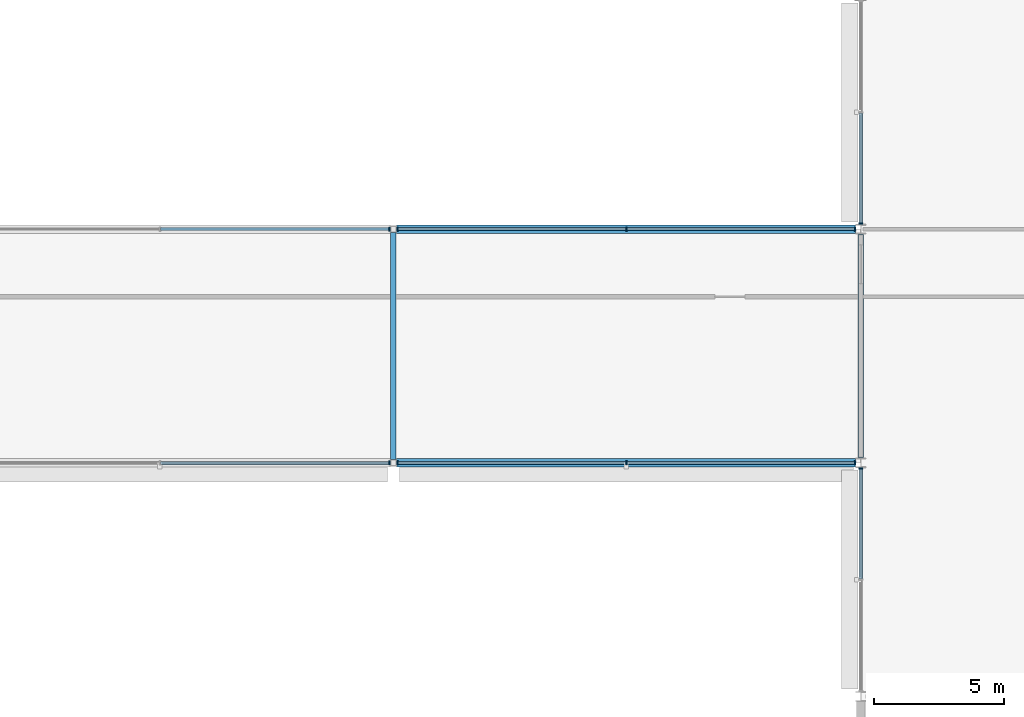
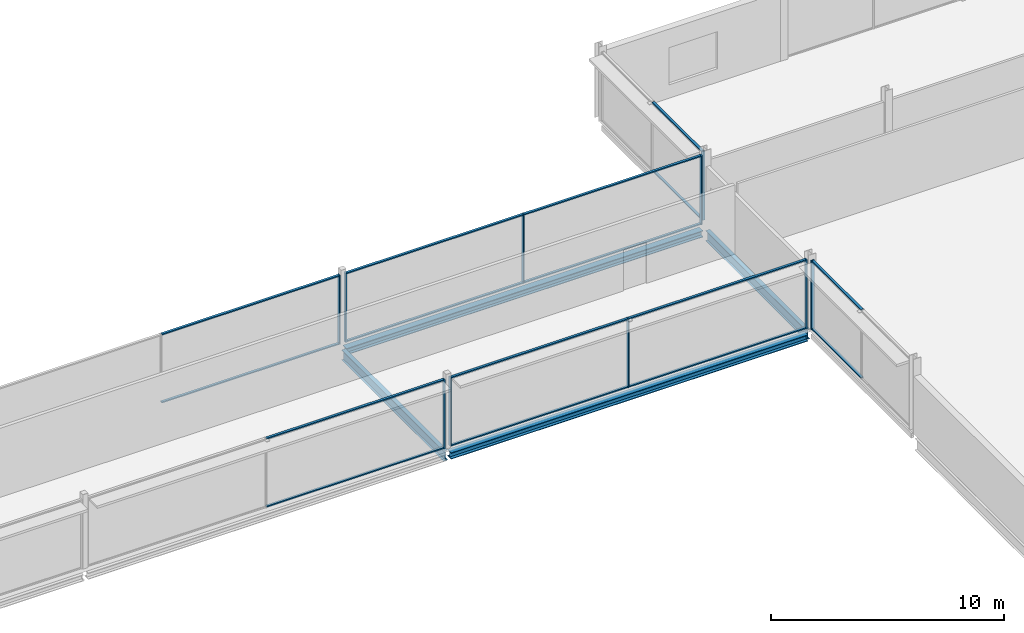
# One storey, part 48 of 98: 26 members, 4 beams, 6 elements without a shape of their own.
"""IFC4 building model written with IfcOpenShell, lengths in metres."""

from ifc_helpers import new_model, si_unit, direction, frame, origin, origin_2d, place, context, subcontext, project, spatial, rectangle, i_section, extrude, material, layer, layer_set, material_profile, profile_set, type_object, element, aggregate, save


model = new_model("IFC4")

# Units and contexts
model_context = context("Model", 3, precision=1e-05, world=origin(), true_north=direction((0.0, 1.0)))
body_context = subcontext(model_context, "Body", "Model", "MODEL_VIEW")
ifc_project = project(units=[si_unit("LENGTHUNIT", "METRE"), si_unit("AREAUNIT", "SQUARE_METRE"), si_unit("VOLUMEUNIT", "CUBIC_METRE"), si_unit("PLANEANGLEUNIT", "RADIAN"), si_unit("MASSUNIT", "GRAM", prefix="KILO")], contexts=[model_context])

# Site, building, storey
site_placement = place(None, origin())
site = spatial("IfcSite", under=ifc_project, at=site_placement, CompositionType="ELEMENT")
building_placement = place(site_placement, origin())
building = spatial("IfcBuilding", under=site, at=building_placement, Name="Kisiwana Market Hall", CompositionType="ELEMENT")
storey_placement = place(building_placement, frame((0.0, 0.0, 29.39990234375)))
storey = spatial("IfcBuildingStorey", under=building, at=storey_placement, Name="L06", CompositionType="ELEMENT", Elevation=29.39990234375)

# Beams
ifc_material_1 = material(Name="Steel S355", Category="steel")
ifc_material_profile_1 = material_profile(ifc_material_1, i_section(OverallWidth=0.209228515625, OverallDepth=0.533203125, WebThickness=0.010009765625, FlangeThickness=0.015625, at=origin_2d()), Name="UB 533x210x92")
ifc_profile_set_1 = profile_set([ifc_material_profile_1], Name="Steel S355")
beam_type_1 = type_object("IfcBeamType", Name="BM-GIRD-UB533", PredefinedType="BEAM", material=ifc_profile_set_1)
beam_1_placement = place(storey_placement, frame((135.0, 93.12109375, -0.531494140625), z_axis=(0.0, 1.0, 0.0), x_axis=(-1.0, 0.0, 0.0)))
element("IfcBeam", 1, at=beam_1_placement, inside=storey, type_object=beam_type_1, Name="Primary girder B-1728", PredefinedType="BEAM", context=body_context, shape_type="SweptSolid", body=[
    extrude(i_section(OverallWidth=0.209228515625, OverallDepth=0.533203125, WebThickness=0.010009765625, FlangeThickness=0.015625, at=origin_2d()), origin(), (0.0, 0.0, 1.0), 8.7578125),
])
beam_2_placement = place(storey_placement, frame((153.0, 93.19921875, -0.531494140625), z_axis=(0.0, 1.0, 0.0), x_axis=(-1.0, 0.0, 0.0)))
element("IfcBeam", 2, at=beam_2_placement, inside=storey, type_object=beam_type_1, Name="Primary girder B-1730", PredefinedType="BEAM", context=body_context, shape_type="SweptSolid", body=[
    extrude(i_section(OverallWidth=0.209228515625, OverallDepth=0.533203125, WebThickness=0.010009765625, FlangeThickness=0.015625, at=origin_2d()), origin(), (0.0, 0.0, 1.0), 8.6015625),
])
ifc_material_2 = material(Name="Steel S355", Category="steel")
ifc_material_profile_2 = material_profile(ifc_material_2, i_section(OverallWidth=0.314453125, OverallDepth=0.33984375, WebThickness=0.01904296875, FlangeThickness=0.031494140625, at=origin_2d()), Name="UC 305x305x198")
ifc_profile_set_2 = profile_set([ifc_material_profile_2], Name="Steel S355")
beam_type_2 = type_object("IfcBeamType", Name="BM-SKYBR-CHORD", PredefinedType="BEAM", material=ifc_profile_set_2)
for number, where, z_axis, x_axis, name in (
    (3, (135.12109375, 93.0, -0.434814453125), (1.0, 0.0, 0.0), (0.0, 1.0, 0.0), "Floor beam B-1826"),
    (4, (135.12109375, 102.0, -0.434814453125), (1.0, 0.0, 0.0), (0.0, 1.0, 0.0), "Floor beam B-1836"),
):
    element("IfcBeam", number, at=place(storey_placement, frame(where, z_axis=z_axis, x_axis=x_axis)), inside=storey, type_object=beam_type_2, Name=name, PredefinedType="BEAM", context=body_context, shape_type="SweptSolid", body=[
        extrude(i_section(OverallWidth=0.314453125, OverallDepth=0.33984375, WebThickness=0.01904296875, FlangeThickness=0.031494140625, at=origin_2d()), origin(), (0.0, 0.0, 1.0), 17.6796875),
    ])

# Curtain wall, member
ifc_material_3 = material(Name="Double-glazed solar-control low-E IGU", Category="glass")
ifc_layer = layer(ifc_material_3, 0.159912109375)
ifc_layer_set = layer_set([ifc_layer], Name="CW-ZNA-EW-8200")
curtain_wall_type = type_object("IfcCurtainWallType", Name="CW-ZNA-EW-8200", PredefinedType="USERDEFINED", material=ifc_layer_set)
curtain_wall_1_placement = place(storey_placement, origin())
curtain_wall_1 = element("IfcCurtainWall", 5, at=curtain_wall_1_placement, inside=storey, type_object=curtain_wall_type, Name="Unitised curtain wall CW-188 (L06)", ObjectType="UNITISED CURTAIN WALL", PredefinedType="USERDEFINED")
ifc_material_4 = material(Name="Aluminium alloy 6063-T6", Category="aluminium")
ifc_material_profile_3 = material_profile(ifc_material_4, rectangle(XDim=0.06005859375, YDim=0.159912109375, at=origin_2d()), Name="ALU MULLION 60x160")
ifc_profile_set_3 = profile_set([ifc_material_profile_3], Name="Aluminium alloy 6063-T6")
member_type_1 = type_object("IfcMemberType", Name="CW-MULL-60x160", PredefinedType="MULLION", material=ifc_profile_set_3)
member_1_placement = place(storey_placement, frame((134.844970703125, 93.0, 0.0), z_axis=(0.0, 0.0, 1.0), x_axis=(1.0, 0.0, 0.0)))
member_1 = element("IfcMember", 6, at=member_1_placement, type_object=member_type_1, Name="CW-188 mullion 3", PredefinedType="MULLION", context=body_context, shape_type="SweptSolid", body=[
    extrude(rectangle(XDim=0.06005859375, YDim=0.159912109375, at=origin_2d()), origin(), (0.0, 0.0, 1.0), 3.6201171875),
])

# Curtain wall, members
curtain_wall_2_placement = place(storey_placement, origin())
curtain_wall_2 = element("IfcCurtainWall", 7, at=curtain_wall_2_placement, inside=storey, type_object=curtain_wall_type, Name="Unitised curtain wall CW-189 (L06)", ObjectType="UNITISED CURTAIN WALL", PredefinedType="USERDEFINED")
member_2_placement = place(storey_placement, frame((135.155029296875, 93.0, 0.0), z_axis=(0.0, 0.0, 1.0), x_axis=(1.0, 0.0, 0.0)))
member_2 = element("IfcMember", 8, at=member_2_placement, type_object=member_type_1, Name="CW-189 mullion 1", PredefinedType="MULLION", context=body_context, shape_type="SweptSolid", body=[
    extrude(rectangle(XDim=0.06005859375, YDim=0.159912109375, at=origin_2d()), origin(), (0.0, 0.0, 1.0), 3.6201171875),
])
member_3_placement = place(storey_placement, frame((143.969970703125, 93.0, 0.0), z_axis=(0.0, 0.0, 1.0), x_axis=(1.0, 0.0, 0.0)))
member_3 = element("IfcMember", 9, at=member_3_placement, type_object=member_type_1, Name="CW-189 mullion 2", PredefinedType="MULLION", context=body_context, shape_type="SweptSolid", body=[
    extrude(rectangle(XDim=0.06005859375, YDim=0.159912109375, at=origin_2d()), origin(), (0.0, 0.0, 1.0), 3.6201171875),
])
member_4_placement = place(storey_placement, frame((152.784912109375, 93.0, 0.0), z_axis=(0.0, 0.0, 1.0), x_axis=(1.0, 0.0, 0.0)))
member_4 = element("IfcMember", 10, at=member_4_placement, type_object=member_type_1, Name="CW-189 mullion 3", PredefinedType="MULLION", context=body_context, shape_type="SweptSolid", body=[
    extrude(rectangle(XDim=0.06005859375, YDim=0.159912109375, at=origin_2d()), origin(), (0.0, 0.0, 1.0), 3.6201171875),
])

# Curtain wall, member
curtain_wall_3_placement = place(storey_placement, origin())
curtain_wall_3 = element("IfcCurtainWall", 11, at=curtain_wall_3_placement, inside=storey, type_object=curtain_wall_type, Name="Unitised curtain wall CW-194 (L06)", ObjectType="UNITISED CURTAIN WALL", PredefinedType="USERDEFINED")
member_5_placement = place(storey_placement, frame((134.844970703125, 102.0, 0.0), z_axis=(0.0, 0.0, 1.0), x_axis=(1.0, 0.0, 0.0)))
member_5 = element("IfcMember", 12, at=member_5_placement, type_object=member_type_1, Name="CW-194 mullion 3", PredefinedType="MULLION", context=body_context, shape_type="SweptSolid", body=[
    extrude(rectangle(XDim=0.06005859375, YDim=0.159912109375, at=origin_2d()), origin(), (0.0, 0.0, 1.0), 3.6201171875),
])

# Curtain wall, members
curtain_wall_4_placement = place(storey_placement, origin())
curtain_wall_4 = element("IfcCurtainWall", 13, at=curtain_wall_4_placement, inside=storey, type_object=curtain_wall_type, Name="Unitised curtain wall CW-195 (L06)", ObjectType="UNITISED CURTAIN WALL", PredefinedType="USERDEFINED")
member_6_placement = place(storey_placement, frame((135.155029296875, 102.0, 0.0), z_axis=(0.0, 0.0, 1.0), x_axis=(1.0, 0.0, 0.0)))
member_6 = element("IfcMember", 14, at=member_6_placement, type_object=member_type_1, Name="CW-195 mullion 1", PredefinedType="MULLION", context=body_context, shape_type="SweptSolid", body=[
    extrude(rectangle(XDim=0.06005859375, YDim=0.159912109375, at=origin_2d()), origin(), (0.0, 0.0, 1.0), 3.6201171875),
])
member_7_placement = place(storey_placement, frame((143.969970703125, 102.0, 0.0), z_axis=(0.0, 0.0, 1.0), x_axis=(1.0, 0.0, 0.0)))
member_7 = element("IfcMember", 15, at=member_7_placement, type_object=member_type_1, Name="CW-195 mullion 2", PredefinedType="MULLION", context=body_context, shape_type="SweptSolid", body=[
    extrude(rectangle(XDim=0.06005859375, YDim=0.159912109375, at=origin_2d()), origin(), (0.0, 0.0, 1.0), 3.6201171875),
])
member_8_placement = place(storey_placement, frame((152.784912109375, 102.0, 0.0), z_axis=(0.0, 0.0, 1.0), x_axis=(1.0, 0.0, 0.0)))
member_8 = element("IfcMember", 16, at=member_8_placement, type_object=member_type_1, Name="CW-195 mullion 3", PredefinedType="MULLION", context=body_context, shape_type="SweptSolid", body=[
    extrude(rectangle(XDim=0.06005859375, YDim=0.159912109375, at=origin_2d()), origin(), (0.0, 0.0, 1.0), 3.6201171875),
])

# Curtain wall, member
curtain_wall_5_placement = place(storey_placement, origin())
curtain_wall_5 = element("IfcCurtainWall", 17, at=curtain_wall_5_placement, inside=storey, type_object=curtain_wall_type, Name="Unitised curtain wall CW-206 (L06)", ObjectType="UNITISED CURTAIN WALL", PredefinedType="USERDEFINED")
member_9_placement = place(storey_placement, frame((153.0, 92.7890625, 0.0), z_axis=(0.0, 0.0, 1.0), x_axis=(0.0, 1.0, 0.0)))
member_9 = element("IfcMember", 18, at=member_9_placement, type_object=member_type_1, Name="CW-206 mullion 3", PredefinedType="MULLION", context=body_context, shape_type="SweptSolid", body=[
    extrude(rectangle(XDim=0.06005859375, YDim=0.159912109375, at=origin_2d()), origin(), (0.0, 0.0, 1.0), 3.6201171875),
])

curtain_wall_6_placement = place(storey_placement, origin())
curtain_wall_6 = element("IfcCurtainWall", 19, at=curtain_wall_6_placement, inside=storey, type_object=curtain_wall_type, Name="Unitised curtain wall CW-207 (L06)", ObjectType="UNITISED CURTAIN WALL", PredefinedType="USERDEFINED")
member_10_placement = place(storey_placement, frame((153.0, 102.2109375, 0.0), z_axis=(0.0, 0.0, 1.0), x_axis=(0.0, 1.0, 0.0)))
member_10 = element("IfcMember", 20, at=member_10_placement, type_object=member_type_1, Name="CW-207 mullion 1", PredefinedType="MULLION", context=body_context, shape_type="SweptSolid", body=[
    extrude(rectangle(XDim=0.06005859375, YDim=0.159912109375, at=origin_2d()), origin(), (0.0, 0.0, 1.0), 3.6201171875),
])

# Member
ifc_material_5 = material(Name="Aluminium alloy 6063-T6", Category="aluminium")
ifc_material_profile_4 = material_profile(ifc_material_5, rectangle(XDim=0.1201171875, YDim=0.06005859375, at=origin_2d()), Name="ALU TRANSOM 60x120")
ifc_profile_set_4 = profile_set([ifc_material_profile_4], Name="Aluminium alloy 6063-T6")
member_type_2 = type_object("IfcMemberType", Name="CW-TRAN-60x120", PredefinedType="USERDEFINED", material=ifc_profile_set_4)
member_11_placement = place(storey_placement, frame((126.030029296875, 93.0, 0.030029296875), z_axis=(1.0, 0.0, 0.0), x_axis=(0.0, 1.0, 0.0)))
member_11 = element("IfcMember", 21, at=member_11_placement, type_object=member_type_2, Name="CW-188 transom 2.1", ObjectType="TRANSOM", PredefinedType="USERDEFINED", context=body_context, shape_type="SweptSolid", body=[
    extrude(rectangle(XDim=0.1201171875, YDim=0.06005859375, at=origin_2d()), origin(), (0.0, 0.0, 1.0), 8.784912109375),
])

member_12_placement = place(storey_placement, frame((126.030029296875, 93.0, 3.590087890625), z_axis=(1.0, 0.0, 0.0), x_axis=(0.0, 1.0, 0.0)))
member_12 = element("IfcMember", 22, at=member_12_placement, type_object=member_type_2, Name="CW-188 transom 2.2", ObjectType="TRANSOM", PredefinedType="USERDEFINED", context=body_context, shape_type="SweptSolid", body=[
    extrude(rectangle(XDim=0.1201171875, YDim=0.06005859375, at=origin_2d()), origin(), (0.0, 0.0, 1.0), 8.784912109375),
])

aggregate(curtain_wall_1, [member_1, member_11, member_12])

member_13_placement = place(storey_placement, frame((135.18505859375, 93.0, 0.030029296875), z_axis=(1.0, 0.0, 0.0), x_axis=(0.0, 1.0, 0.0)))
member_13 = element("IfcMember", 23, at=member_13_placement, type_object=member_type_2, Name="CW-189 transom 1.1", ObjectType="TRANSOM", PredefinedType="USERDEFINED", context=body_context, shape_type="SweptSolid", body=[
    extrude(rectangle(XDim=0.1201171875, YDim=0.06005859375, at=origin_2d()), origin(), (0.0, 0.0, 1.0), 8.7548828125),
])

member_14_placement = place(storey_placement, frame((135.18505859375, 93.0, 3.590087890625), z_axis=(1.0, 0.0, 0.0), x_axis=(0.0, 1.0, 0.0)))
member_14 = element("IfcMember", 24, at=member_14_placement, type_object=member_type_2, Name="CW-189 transom 1.2", ObjectType="TRANSOM", PredefinedType="USERDEFINED", context=body_context, shape_type="SweptSolid", body=[
    extrude(rectangle(XDim=0.1201171875, YDim=0.06005859375, at=origin_2d()), origin(), (0.0, 0.0, 1.0), 8.7548828125),
])

member_15_placement = place(storey_placement, frame((144.0, 93.0, 0.030029296875), z_axis=(1.0, 0.0, 0.0), x_axis=(0.0, 1.0, 0.0)))
member_15 = element("IfcMember", 25, at=member_15_placement, type_object=member_type_2, Name="CW-189 transom 2.1", ObjectType="TRANSOM", PredefinedType="USERDEFINED", context=body_context, shape_type="SweptSolid", body=[
    extrude(rectangle(XDim=0.1201171875, YDim=0.06005859375, at=origin_2d()), origin(), (0.0, 0.0, 1.0), 8.7548828125),
])

member_16_placement = place(storey_placement, frame((144.0, 93.0, 3.590087890625), z_axis=(1.0, 0.0, 0.0), x_axis=(0.0, 1.0, 0.0)))
member_16 = element("IfcMember", 26, at=member_16_placement, type_object=member_type_2, Name="CW-189 transom 2.2", ObjectType="TRANSOM", PredefinedType="USERDEFINED", context=body_context, shape_type="SweptSolid", body=[
    extrude(rectangle(XDim=0.1201171875, YDim=0.06005859375, at=origin_2d()), origin(), (0.0, 0.0, 1.0), 8.7548828125),
])

aggregate(curtain_wall_2, [member_2, member_3, member_4, member_13, member_14, member_15, member_16])

member_17_placement = place(storey_placement, frame((126.030029296875, 102.0, 0.030029296875), z_axis=(1.0, 0.0, 0.0), x_axis=(0.0, 1.0, 0.0)))
member_17 = element("IfcMember", 27, at=member_17_placement, type_object=member_type_2, Name="CW-194 transom 2.1", ObjectType="TRANSOM", PredefinedType="USERDEFINED", context=body_context, shape_type="SweptSolid", body=[
    extrude(rectangle(XDim=0.1201171875, YDim=0.06005859375, at=origin_2d()), origin(), (0.0, 0.0, 1.0), 8.784912109375),
])

member_18_placement = place(storey_placement, frame((126.030029296875, 102.0, 3.590087890625), z_axis=(1.0, 0.0, 0.0), x_axis=(0.0, 1.0, 0.0)))
member_18 = element("IfcMember", 28, at=member_18_placement, type_object=member_type_2, Name="CW-194 transom 2.2", ObjectType="TRANSOM", PredefinedType="USERDEFINED", context=body_context, shape_type="SweptSolid", body=[
    extrude(rectangle(XDim=0.1201171875, YDim=0.06005859375, at=origin_2d()), origin(), (0.0, 0.0, 1.0), 8.784912109375),
])

aggregate(curtain_wall_3, [member_5, member_17, member_18])

member_19_placement = place(storey_placement, frame((135.18505859375, 102.0, 0.030029296875), z_axis=(1.0, 0.0, 0.0), x_axis=(0.0, 1.0, 0.0)))
member_19 = element("IfcMember", 29, at=member_19_placement, type_object=member_type_2, Name="CW-195 transom 1.1", ObjectType="TRANSOM", PredefinedType="USERDEFINED", context=body_context, shape_type="SweptSolid", body=[
    extrude(rectangle(XDim=0.1201171875, YDim=0.06005859375, at=origin_2d()), origin(), (0.0, 0.0, 1.0), 8.7548828125),
])

member_20_placement = place(storey_placement, frame((135.18505859375, 102.0, 3.590087890625), z_axis=(1.0, 0.0, 0.0), x_axis=(0.0, 1.0, 0.0)))
member_20 = element("IfcMember", 30, at=member_20_placement, type_object=member_type_2, Name="CW-195 transom 1.2", ObjectType="TRANSOM", PredefinedType="USERDEFINED", context=body_context, shape_type="SweptSolid", body=[
    extrude(rectangle(XDim=0.1201171875, YDim=0.06005859375, at=origin_2d()), origin(), (0.0, 0.0, 1.0), 8.7548828125),
])

member_21_placement = place(storey_placement, frame((144.0, 102.0, 0.030029296875), z_axis=(1.0, 0.0, 0.0), x_axis=(0.0, 1.0, 0.0)))
member_21 = element("IfcMember", 31, at=member_21_placement, type_object=member_type_2, Name="CW-195 transom 2.1", ObjectType="TRANSOM", PredefinedType="USERDEFINED", context=body_context, shape_type="SweptSolid", body=[
    extrude(rectangle(XDim=0.1201171875, YDim=0.06005859375, at=origin_2d()), origin(), (0.0, 0.0, 1.0), 8.7548828125),
])

member_22_placement = place(storey_placement, frame((144.0, 102.0, 3.590087890625), z_axis=(1.0, 0.0, 0.0), x_axis=(0.0, 1.0, 0.0)))
member_22 = element("IfcMember", 32, at=member_22_placement, type_object=member_type_2, Name="CW-195 transom 2.2", ObjectType="TRANSOM", PredefinedType="USERDEFINED", context=body_context, shape_type="SweptSolid", body=[
    extrude(rectangle(XDim=0.1201171875, YDim=0.06005859375, at=origin_2d()), origin(), (0.0, 0.0, 1.0), 8.7548828125),
])

aggregate(curtain_wall_4, [member_6, member_7, member_8, member_19, member_20, member_21, member_22])

member_23_placement = place(storey_placement, frame((153.0, 88.530029296875, 0.030029296875), z_axis=(0.0, 1.0, 0.0), x_axis=(-1.0, 0.0, 0.0)))
member_23 = element("IfcMember", 33, at=member_23_placement, type_object=member_type_2, Name="CW-206 transom 2.1", ObjectType="TRANSOM", PredefinedType="USERDEFINED", context=body_context, shape_type="SweptSolid", body=[
    extrude(rectangle(XDim=0.1201171875, YDim=0.06005859375, at=origin_2d()), origin(), (0.0, 0.0, 1.0), 4.22900390625),
])

member_24_placement = place(storey_placement, frame((153.0, 88.530029296875, 3.590087890625), z_axis=(0.0, 1.0, 0.0), x_axis=(-1.0, 0.0, 0.0)))
member_24 = element("IfcMember", 34, at=member_24_placement, type_object=member_type_2, Name="CW-206 transom 2.2", ObjectType="TRANSOM", PredefinedType="USERDEFINED", context=body_context, shape_type="SweptSolid", body=[
    extrude(rectangle(XDim=0.1201171875, YDim=0.06005859375, at=origin_2d()), origin(), (0.0, 0.0, 1.0), 4.22900390625),
])

aggregate(curtain_wall_5, [member_9, member_23, member_24])

member_25_placement = place(storey_placement, frame((153.0, 102.240966796875, 0.030029296875), z_axis=(0.0, 1.0, 0.0), x_axis=(-1.0, 0.0, 0.0)))
member_25 = element("IfcMember", 35, at=member_25_placement, type_object=member_type_2, Name="CW-207 transom 1.1", ObjectType="TRANSOM", PredefinedType="USERDEFINED", context=body_context, shape_type="SweptSolid", body=[
    extrude(rectangle(XDim=0.1201171875, YDim=0.06005859375, at=origin_2d()), origin(), (0.0, 0.0, 1.0), 4.22900390625),
])

member_26_placement = place(storey_placement, frame((153.0, 102.240966796875, 3.590087890625), z_axis=(0.0, 1.0, 0.0), x_axis=(-1.0, 0.0, 0.0)))
member_26 = element("IfcMember", 36, at=member_26_placement, type_object=member_type_2, Name="CW-207 transom 1.2", ObjectType="TRANSOM", PredefinedType="USERDEFINED", context=body_context, shape_type="SweptSolid", body=[
    extrude(rectangle(XDim=0.1201171875, YDim=0.06005859375, at=origin_2d()), origin(), (0.0, 0.0, 1.0), 4.22900390625),
])

aggregate(curtain_wall_6, [member_10, member_25, member_26])

save(model, "model.ifc")
